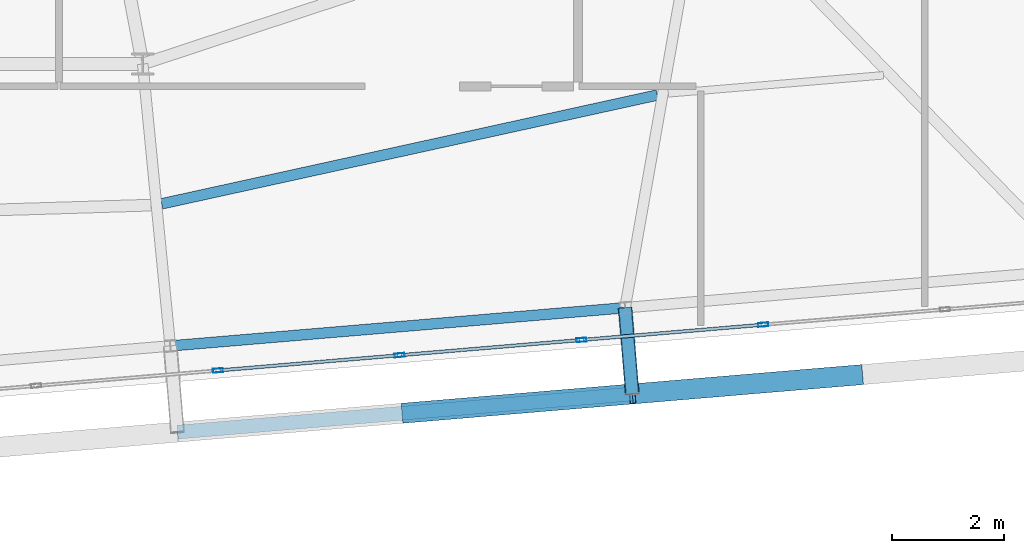
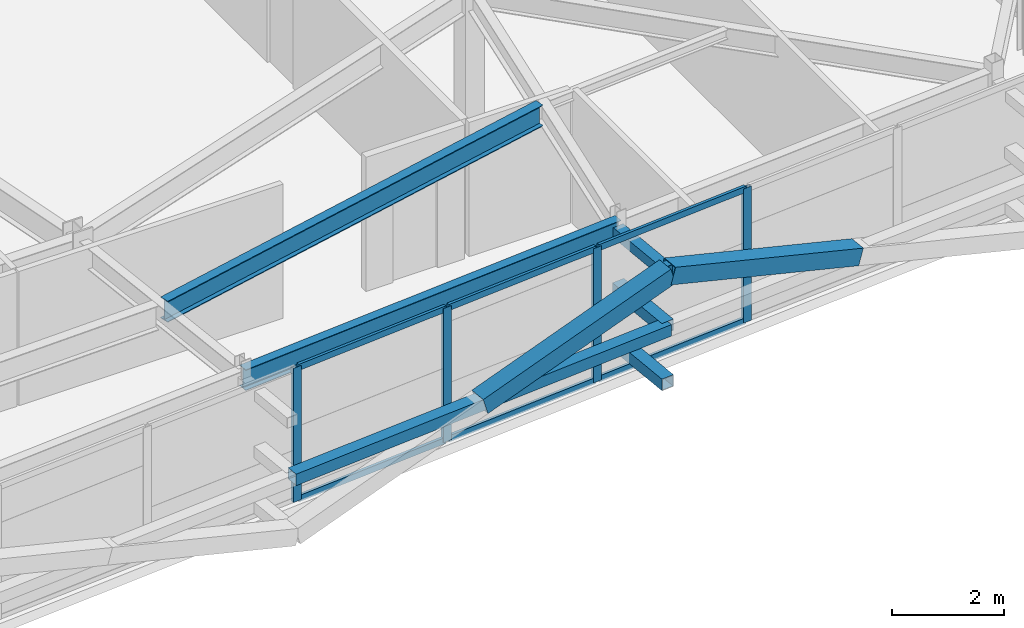
# One storey, part 19 of 46: 16 members, 2 beams, 1 element without a shape of its own.
"""IFC4 building model written with IfcOpenShell, lengths in metres."""

from ifc_helpers import new_model, si_unit, direction, frame, origin, origin_2d, place, context, subcontext, project, spatial, hollow_rectangle, i_section, extrude, source, transform, mapped, material, layer, layer_set, material_profile, profile_set, type_object, element, aggregate, save


model = new_model("IFC4")

# Units and contexts
model_context = context("Model", 3, precision=1e-05, world=origin(), true_north=direction((0.0, 1.0)))
body_context = subcontext(model_context, "Body", "Model", "MODEL_VIEW")
ifc_project = project(units=[si_unit("LENGTHUNIT", "METRE"), si_unit("AREAUNIT", "SQUARE_METRE"), si_unit("VOLUMEUNIT", "CUBIC_METRE"), si_unit("PLANEANGLEUNIT", "RADIAN"), si_unit("MASSUNIT", "GRAM", prefix="KILO")], contexts=[model_context])

# Site, building, storey
site_placement = place(None, origin())
site = spatial("IfcSite", under=ifc_project, at=site_placement, CompositionType="ELEMENT")
building_placement = place(site_placement, origin())
building = spatial("IfcBuilding", under=site, at=building_placement, Name="Taldren Reach Tower", CompositionType="ELEMENT")
storey_placement = place(building_placement, frame((0.0, 0.0, 194.60009765625)))
storey = spatial("IfcBuildingStorey", under=building, at=storey_placement, Name="L59", CompositionType="ELEMENT", Elevation=194.60009765625)

# Members
ifc_material_1 = material(Name="Steel Gr 350 (C350L0)", Category="steel")
ifc_material_profile_1 = material_profile(ifc_material_1, hollow_rectangle(XDim=0.25, YDim=0.25, WallThickness=0.010009765625, at=origin_2d()), Name="250x250x10.0SHS")
ifc_profile_set_1 = profile_set([ifc_material_profile_1], Name="Steel Gr 350 (C350L0)")
member_type_1 = type_object("IfcMemberType", Name="MB-POST250", PredefinedType="POST", material=ifc_profile_set_1)
shared_shape_1 = source(origin(), body_context, "Body", "SweptSolid", [
    extrude(hollow_rectangle(XDim=0.25, YDim=0.25, WallThickness=0.010009765625, at=origin_2d()), origin(), (0.0, 0.0, 1.0), 1.550048828125),
])
for number, where, z_axis, x_axis, name in (
    (1, (50.644775390625, 4.83203125, 0.219970703125), (0.083788408178, -0.996483568683, 0.0), (0.996483568683, 0.083788408178, 0.0), "Exoskeleton base diaphragm tie strut B4-S5 L59"),
    (2, (50.644775390625, 4.83203125, 1.434814453125), (0.083788408178, -0.996483568683, 0.0), (0.996483568683, 0.083788408178, 0.0), "Exoskeleton mid-tier diaphragm tie B4-S5 L59"),
):
    element("IfcMember", number, at=place(storey_placement, frame(where, z_axis=z_axis, x_axis=x_axis)), inside=storey, type_object=member_type_1, Name=name, PredefinedType="POST", context=body_context, shape_type="MappedRepresentation", body=[
        mapped(shared_shape_1, transform((0.0, 0.0, 0.0), scale=1.0)),
    ])

# Beams
ifc_material_2 = material(Name="Steel Gr 350 (350PLUS)", Category="steel")
ifc_material_profile_2 = material_profile(ifc_material_2, i_section(OverallWidth=0.18994140625, OverallDepth=0.4541015625, WebThickness=0.008544921875, FlangeThickness=0.0126953125, at=origin_2d()), Name="460UB67.1")
ifc_profile_set_2 = profile_set([ifc_material_profile_2], Name="Steel Gr 350 (350PLUS)")
beam_type_1 = type_object("IfcBeamType", Name="SP-UB460B", PredefinedType="SPANDREL", material=ifc_profile_set_2)
shared_shape_2 = source(origin(), body_context, "Body", "SweptSolid", [
    extrude(i_section(OverallWidth=0.18994140625, OverallDepth=0.4541015625, WebThickness=0.008544921875, FlangeThickness=0.0126953125, at=origin_2d()), origin(), (0.0, 0.0, 1.0), 8.179931640625),
])
beam_1_placement = place(storey_placement, frame((42.49365234375, 4.1474609375, 2.702880859375), z_axis=(0.99649182565, 0.08369015123, 0.0), x_axis=(-0.08369015123, 0.99649182565, 0.0)))
element("IfcBeam", 3, at=beam_1_placement, inside=storey, type_object=beam_type_1, Name="Perimeter spandrel B4 S4-S5 L59", PredefinedType="SPANDREL", context=body_context, shape_type="MappedRepresentation", body=[
    mapped(shared_shape_2, transform((0.0, 0.0, 0.0), scale=1.0)),
])
ifc_material_profile_3 = material_profile(ifc_material_2, i_section(OverallWidth=0.19091796875, OverallDepth=0.4599609375, WebThickness=0.010009765625, FlangeThickness=0.01611328125, at=origin_2d()), Name="460UB82.1")
ifc_profile_set_3 = profile_set([ifc_material_profile_3], Name="Steel Gr 350 (350PLUS)")
beam_type_2 = type_object("IfcBeamType", Name="BM-UB460A", PredefinedType="BEAM", material=ifc_profile_set_3)
shared_shape_3 = source(origin(), body_context, "Body", "SweptSolid", [
    extrude(i_section(OverallWidth=0.19091796875, OverallDepth=0.4599609375, WebThickness=0.010009765625, FlangeThickness=0.01611328125, at=origin_2d()), origin(), (0.0, 0.0, 1.0), 9.09228515625),
])
beam_2_placement = place(storey_placement, frame((42.3408203125, 6.6943359375, 2.699951171875), z_axis=(0.97674420602, 0.214407919647, 0.0), x_axis=(-0.214407919647, 0.97674420602, 0.0)))
element("IfcBeam", 4, at=beam_2_placement, inside=storey, type_object=beam_type_2, Name="Secondary floor beam B4 J4 L59", PredefinedType="BEAM", context=body_context, shape_type="MappedRepresentation", body=[
    mapped(shared_shape_3, transform((0.0, 0.0, 0.0), scale=1.0)),
])

# Members
ifc_material_3 = material(Name="Steel Gr 450 (C450L0)", Category="steel")
ifc_material_profile_4 = material_profile(ifc_material_3, hollow_rectangle(XDim=0.219970703125, YDim=0.219970703125, WallThickness=0.00830078125, at=origin_2d()), Name="220x220x8.2SHS")
ifc_profile_set_4 = profile_set([ifc_material_profile_4], Name="Steel Gr 450 (C450L0)")
member_type_2 = type_object("IfcMemberType", Name="MB-TIE219", PredefinedType="STRUT", material=ifc_profile_set_4)
shared_shape_4 = source(origin(), body_context, "Body", "SweptSolid", [
    extrude(hollow_rectangle(XDim=0.219970703125, YDim=0.219970703125, WallThickness=0.00830078125, at=origin_2d()), origin(), (0.0, 0.0, 1.0), 1.550048828125),
])
member_1_placement = place(storey_placement, frame((50.644775390625, 4.83203125, 2.64990234375), z_axis=(0.083788408178, -0.996483568683, 0.0), x_axis=(0.996483568683, 0.083788408178, 0.0)))
element("IfcMember", 5, at=member_1_placement, inside=storey, type_object=member_type_2, Name="Exoskeleton diaphragm tie strut B4-S5 L59", PredefinedType="STRUT", context=body_context, shape_type="MappedRepresentation", body=[
    mapped(shared_shape_4, transform((0.0, 0.0, 0.0), scale=1.0)),
])
shared_shape_5 = source(origin(), body_context, "Body", "SweptSolid", [
    extrude(hollow_rectangle(XDim=0.25, YDim=0.25, WallThickness=0.010009765625, at=origin_2d()), origin(), (0.0, 0.0, 1.0), 8.179931640625),
])
member_2_placement = place(storey_placement, frame((42.623291015625, 2.60302734375, 1.434814453125), z_axis=(0.996494523218, 0.083658025296, 0.0), x_axis=(-0.083658025296, 0.996494523218, 0.0)))
element("IfcMember", 6, at=member_2_placement, inside=storey, type_object=member_type_1, Name="Exoskeleton mid-height ring chord B4-S4 L59", PredefinedType="POST", context=body_context, shape_type="MappedRepresentation", body=[
    mapped(shared_shape_5, transform((0.0, 0.0, 0.0), scale=1.0)),
])
ifc_material_profile_5 = material_profile(ifc_material_3, hollow_rectangle(XDim=0.360107421875, YDim=0.360107421875, WallThickness=0.0126953125, at=origin_2d()), Name="360x360x12.7SHS")
ifc_profile_set_5 = profile_set([ifc_material_profile_5], Name="Steel Gr 450 (C450L0)")
member_type_3 = type_object("IfcMemberType", Name="MB-EXO356", PredefinedType="BRACE", material=ifc_profile_set_5)
shared_shape_6 = source(origin(), body_context, "Body", "SweptSolid", [
    extrude(hollow_rectangle(XDim=0.360107421875, YDim=0.360107421875, WallThickness=0.0126953125, at=origin_2d()), origin(), (0.0, 0.0, 1.0), 4.2666015625),
])
for number, where, z_axis, x_axis, name in (
    (7, (46.698974609375, 2.945068359375, 1.434814453125), (0.955229159097, 0.080222312271, 0.284783486572), (-0.083687662192, 0.996492034688, 0.0), "Exoskeleton Diagrid Brace B4-S4 L59"),
    (8, (54.850341796875, 3.629638671875, 1.434814453125), (-0.955229159097, -0.080222312271, 0.284783486572), (0.083687662192, -0.996492034688, 0.0), "Exoskeleton Diagrid Brace B4-S5 L59"),
):
    element("IfcMember", number, at=place(storey_placement, frame(where, z_axis=z_axis, x_axis=x_axis)), inside=storey, type_object=member_type_3, Name=name, PredefinedType="BRACE", context=body_context, shape_type="MappedRepresentation", body=[
        mapped(shared_shape_6, transform((0.0, 0.0, 0.0), scale=1.0)),
    ])

# Curtain wall, members
ifc_material_4 = material(Name="Aluminium and Low-E Glass Unitised System", Category="aluminium")
ifc_layer = layer(ifc_material_4, 0.159912109375)
ifc_layer_set = layer_set([ifc_layer], Name="Aluminium and Low-E Glass Unitised System")
curtain_wall_type = type_object("IfcCurtainWallType", Name="CW-SYS-5", PredefinedType="NOTDEFINED", material=ifc_layer_set)
curtain_wall_placement = place(storey_placement, origin())
curtain_wall = element("IfcCurtainWall", 9, at=curtain_wall_placement, inside=storey, type_object=curtain_wall_type, Name="Unitised curtain wall CW-L59-S", PredefinedType="NOTDEFINED")
ifc_material_5 = material(Name="Anodised Aluminium 6063-T6", Category="aluminium")
ifc_material_profile_6 = material_profile(ifc_material_5, hollow_rectangle(XDim=0.070068359375, YDim=0.179931640625, WallThickness=0.00390625, at=origin_2d()), Name="ALU-180x70x4RHS")
ifc_profile_set_6 = profile_set([ifc_material_profile_6], Name="Anodised Aluminium 6063-T6")
member_type_4 = type_object("IfcMemberType", Name="CW-MUL-180", PredefinedType="MULLION", material=ifc_profile_set_6)
shared_shape_7 = source(origin(), body_context, "Body", "SweptSolid", [
    extrude(hollow_rectangle(XDim=0.070068359375, YDim=0.179931640625, WallThickness=0.00390625, at=origin_2d()), origin(), (0.0, 0.0, 1.0), 2.929931640625),
])
member_3_placement = place(storey_placement, frame((43.34716796875, 3.707275390625, 0.0), z_axis=(0.0, 0.0, 1.0), x_axis=(-0.083677894865, 0.996492854922, 0.0)))
member_3 = element("IfcMember", 10, at=member_3_placement, type_object=member_type_4, Name="CW-5 mullion 9", PredefinedType="MULLION", context=body_context, shape_type="MappedRepresentation", body=[
    mapped(shared_shape_7, transform((0.0, 0.0, 0.0), scale=1.0)),
])
member_4_placement = place(storey_placement, frame((46.60498046875, 3.98095703125, 0.0), z_axis=(0.0, 0.0, 1.0), x_axis=(-0.083677894865, 0.996492854922, 0.0)))
member_4 = element("IfcMember", 11, at=member_4_placement, type_object=member_type_4, Name="CW-5 mullion 10", PredefinedType="MULLION", context=body_context, shape_type="MappedRepresentation", body=[
    mapped(shared_shape_7, transform((0.0, 0.0, 0.0), scale=1.0)),
])
member_5_placement = place(storey_placement, frame((49.86279296875, 4.25439453125, 0.0), z_axis=(0.0, 0.0, 1.0), x_axis=(-0.083677894865, 0.996492854922, 0.0)))
member_5 = element("IfcMember", 12, at=member_5_placement, type_object=member_type_4, Name="CW-5 mullion 11", PredefinedType="MULLION", context=body_context, shape_type="MappedRepresentation", body=[
    mapped(shared_shape_7, transform((0.0, 0.0, 0.0), scale=1.0)),
])
member_6_placement = place(storey_placement, frame((53.12060546875, 4.528076171875, 0.0), z_axis=(0.0, 0.0, 1.0), x_axis=(-0.083677894865, 0.996492854922, 0.0)))
member_6 = element("IfcMember", 13, at=member_6_placement, type_object=member_type_4, Name="CW-5 mullion 12", PredefinedType="MULLION", context=body_context, shape_type="MappedRepresentation", body=[
    mapped(shared_shape_7, transform((0.0, 0.0, 0.0), scale=1.0)),
])
ifc_material_profile_7 = material_profile(ifc_material_5, hollow_rectangle(XDim=0.06005859375, YDim=0.135009765625, WallThickness=0.00341796875, at=origin_2d()), Name="ALU-135x60x3.5RHS")
ifc_profile_set_7 = profile_set([ifc_material_profile_7], Name="Anodised Aluminium 6063-T6")
member_type_5 = type_object("IfcMemberType", Name="CW-TRN-150", PredefinedType="USERDEFINED", material=ifc_profile_set_7)
shared_shape_8 = source(origin(), body_context, "Body", "SweptSolid", [
    extrude(hollow_rectangle(XDim=0.06005859375, YDim=0.135009765625, WallThickness=0.00341796875, at=origin_2d()), origin(), (0.0, 0.0, 1.0), 3.19921875),
])
member_7_placement = place(storey_placement, frame((43.382080078125, 3.710205078125, 0.02978515625), z_axis=(0.996489746258, 0.083714906697, 0.0), x_axis=(-0.083714906697, 0.996489746258, 0.0)))
member_7 = element("IfcMember", 14, at=member_7_placement, type_object=member_type_5, Name="CW-5 transom 9.1", ObjectType="TRANSOM", PredefinedType="USERDEFINED", context=body_context, shape_type="MappedRepresentation", body=[
    mapped(shared_shape_8, transform((0.0, 0.0, 0.0), scale=1.0)),
])
member_8_placement = place(storey_placement, frame((43.382080078125, 3.710205078125, 2.89990234375), z_axis=(0.996489746258, 0.083714906697, 0.0), x_axis=(-0.083714906697, 0.996489746258, 0.0)))
member_8 = element("IfcMember", 15, at=member_8_placement, type_object=member_type_5, Name="CW-5 transom 9.2", ObjectType="TRANSOM", PredefinedType="USERDEFINED", context=body_context, shape_type="MappedRepresentation", body=[
    mapped(shared_shape_8, transform((0.0, 0.0, 0.0), scale=1.0)),
])
member_9_placement = place(storey_placement, frame((46.639892578125, 3.98388671875, 0.02978515625), z_axis=(0.996496109493, 0.083639128198, 0.0), x_axis=(-0.083639128198, 0.996496109493, 0.0)))
member_9 = element("IfcMember", 16, at=member_9_placement, type_object=member_type_5, Name="CW-5 transom 10.1", ObjectType="TRANSOM", PredefinedType="USERDEFINED", context=body_context, shape_type="MappedRepresentation", body=[
    mapped(shared_shape_8, transform((0.0, 0.0, 0.0), scale=1.0)),
])
member_10_placement = place(storey_placement, frame((46.639892578125, 3.98388671875, 2.89990234375), z_axis=(0.996496109493, 0.083639128198, 0.0), x_axis=(-0.083639128198, 0.996496109493, 0.0)))
member_10 = element("IfcMember", 17, at=member_10_placement, type_object=member_type_5, Name="CW-5 transom 10.2", ObjectType="TRANSOM", PredefinedType="USERDEFINED", context=body_context, shape_type="MappedRepresentation", body=[
    mapped(shared_shape_8, transform((0.0, 0.0, 0.0), scale=1.0)),
])
member_11_placement = place(storey_placement, frame((49.897705078125, 4.25732421875, 0.02978515625), z_axis=(0.996489746258, 0.083714906697, 0.0), x_axis=(-0.083714906697, 0.996489746258, 0.0)))
member_11 = element("IfcMember", 18, at=member_11_placement, type_object=member_type_5, Name="CW-5 transom 11.1", ObjectType="TRANSOM", PredefinedType="USERDEFINED", context=body_context, shape_type="MappedRepresentation", body=[
    mapped(shared_shape_8, transform((0.0, 0.0, 0.0), scale=1.0)),
])
member_12_placement = place(storey_placement, frame((49.897705078125, 4.25732421875, 2.89990234375), z_axis=(0.996489746258, 0.083714906697, 0.0), x_axis=(-0.083714906697, 0.996489746258, 0.0)))
member_12 = element("IfcMember", 19, at=member_12_placement, type_object=member_type_5, Name="CW-5 transom 11.2", ObjectType="TRANSOM", PredefinedType="USERDEFINED", context=body_context, shape_type="MappedRepresentation", body=[
    mapped(shared_shape_8, transform((0.0, 0.0, 0.0), scale=1.0)),
])
aggregate(curtain_wall, [member_3, member_4, member_5, member_6, member_7, member_8, member_9, member_10, member_11, member_12])

save(model, "model.ifc")
